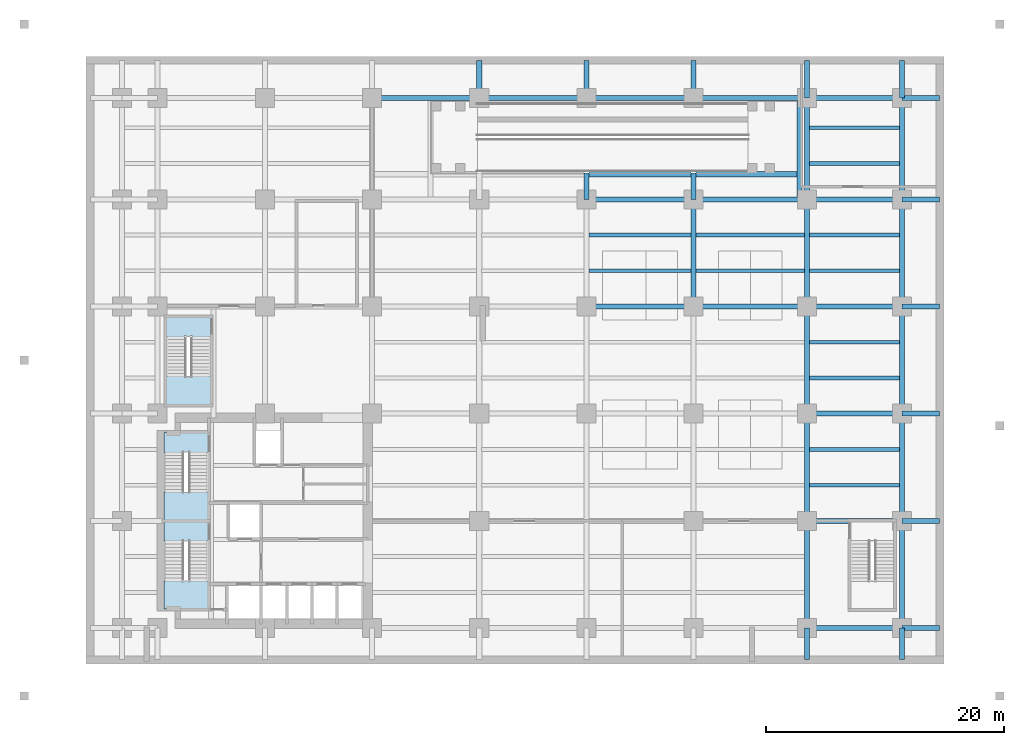
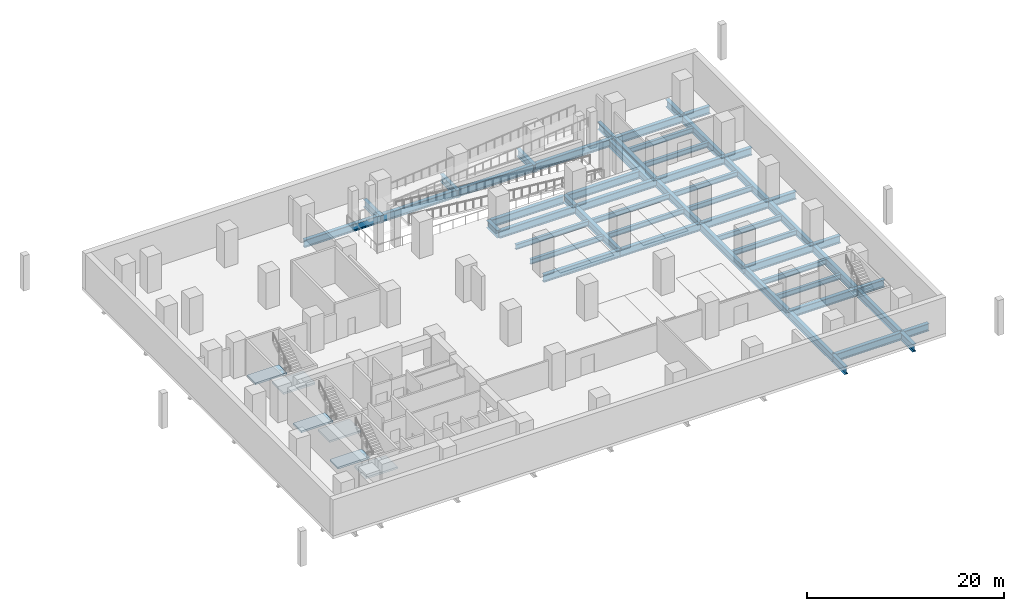
# One storey, part 3 of 10: 55 beams, 6 slabs, 3 elements without a shape of their own.
"""IFC4 building model written with IfcOpenShell, lengths in metres."""

from ifc_helpers import new_model, si_unit, direction, frame, origin, origin_2d, place, context, subcontext, project, spatial, polyline, i_section, outline, extrude, material, layer, layer_set, material_profile, profile_set, type_object, element, aggregate, save


model = new_model("IFC4")

# Units and contexts
model_context = context("Model", 3, precision=1e-05, world=origin(), true_north=direction((0.0, 1.0)))
body_context = subcontext(model_context, "Body", "Model", "MODEL_VIEW")
ifc_project = project(units=[si_unit("LENGTHUNIT", "METRE"), si_unit("AREAUNIT", "SQUARE_METRE"), si_unit("VOLUMEUNIT", "CUBIC_METRE"), si_unit("PLANEANGLEUNIT", "RADIAN"), si_unit("MASSUNIT", "GRAM", prefix="KILO")], contexts=[model_context])

# Site, building, storey
site_placement = place(None, origin())
site = spatial("IfcSite", under=ifc_project, at=site_placement, CompositionType="ELEMENT")
building_placement = place(site_placement, origin())
building = spatial("IfcBuilding", under=site, at=building_placement, Name="Mawjdan Bourse Tower", CompositionType="ELEMENT")
storey_placement = place(building_placement, frame((0.0, 0.0, -4.5)))
storey = spatial("IfcBuildingStorey", under=building, at=storey_placement, Name="B01", CompositionType="ELEMENT", Elevation=-4.5)

# Beams
ifc_material_1 = material(Name="Structural Steel S460", Category="steel")
ifc_material_profile_1 = material_profile(ifc_material_1, i_section(OverallWidth=0.423095703125, OverallDepth=0.93994140625, WebThickness=0.02392578125, FlangeThickness=0.042724609375, FilletRadius=0.0341796875, at=origin_2d()), Name="W36X302")
ifc_profile_set_1 = profile_set([ifc_material_profile_1], Name="Structural Steel S460")
beam_type_1 = type_object("IfcBeamType", Name="GRD-W36X302", PredefinedType="BEAM", material=ifc_profile_set_1)
beam_1_placement = place(storey_placement, frame((42.20947265625, 41.10009765625, -0.820068359375), z_axis=(1.0, 0.0, 0.0), x_axis=(0.0, 1.0, 0.0)))
element("IfcBeam", 1, at=beam_1_placement, inside=storey, type_object=beam_type_1, Name="B01 Ramp Opening South Trimmer S3", PredefinedType="BEAM", context=body_context, shape_type="SweptSolid", body=[
    extrude(i_section(OverallWidth=0.423095703125, OverallDepth=0.93994140625, WebThickness=0.02392578125, FlangeThickness=0.042724609375, FilletRadius=0.0341796875, at=origin_2d()), origin(), (0.0, 0.0, 1.0), 8.5810546875),
])
beam_2_placement = place(storey_placement, frame((51.20947265625, 41.10009765625, -0.820068359375), z_axis=(1.0, 0.0, 0.0), x_axis=(0.0, 1.0, 0.0)))
element("IfcBeam", 2, at=beam_2_placement, inside=storey, type_object=beam_type_1, Name="B01 Ramp Opening South Trimmer S4", PredefinedType="BEAM", context=body_context, shape_type="SweptSolid", body=[
    extrude(i_section(OverallWidth=0.423095703125, OverallDepth=0.93994140625, WebThickness=0.02392578125, FlangeThickness=0.042724609375, FilletRadius=0.0341796875, at=origin_2d()), origin(), (0.0, 0.0, 1.0), 8.4609375),
])
beam_3_placement = place(storey_placement, frame((59.8798828125, 39.20947265625, -0.820068359375), z_axis=(0.0, 1.0, 0.0), x_axis=(-1.0, 0.0, 0.0)))
element("IfcBeam", 3, at=beam_3_placement, inside=storey, type_object=beam_type_1, Name="B01 Ramp Opening East Trimmer 004", PredefinedType="BEAM", context=body_context, shape_type="SweptSolid", body=[
    extrude(i_section(OverallWidth=0.423095703125, OverallDepth=0.93994140625, WebThickness=0.02392578125, FlangeThickness=0.042724609375, FilletRadius=0.0341796875, at=origin_2d()), origin(), (0.0, 0.0, 1.0), 8.0810546875),
])
beam_4_placement = place(storey_placement, frame((33.0, 47.199951171875, -0.820068359375), z_axis=(0.0, 1.0, 0.0), x_axis=(-1.0, 0.0, 0.0)))
element("IfcBeam", 4, at=beam_4_placement, inside=storey, type_object=beam_type_1, Name="B01 Podium Primary Girder 034", PredefinedType="BEAM", context=body_context, shape_type="SweptSolid", body=[
    extrude(i_section(OverallWidth=0.423095703125, OverallDepth=0.93994140625, WebThickness=0.02392578125, FlangeThickness=0.042724609375, FilletRadius=0.0341796875, at=origin_2d()), origin(), (0.0, 0.0, 1.0), 3.449951171875),
])
beam_5_placement = place(storey_placement, frame((42.0, 39.0, -0.820068359375), z_axis=(0.0, 1.0, 0.0), x_axis=(-1.0, 0.0, 0.0)))
element("IfcBeam", 5, at=beam_5_placement, inside=storey, type_object=beam_type_1, Name="B01 Podium Primary Girder 039", PredefinedType="BEAM", context=body_context, shape_type="SweptSolid", body=[
    extrude(i_section(OverallWidth=0.423095703125, OverallDepth=0.93994140625, WebThickness=0.02392578125, FlangeThickness=0.042724609375, FilletRadius=0.0341796875, at=origin_2d()), origin(), (0.0, 0.0, 1.0), 2.199951171875),
])
beam_6_placement = place(storey_placement, frame((42.0, 47.199951171875, -0.820068359375), z_axis=(0.0, 1.0, 0.0), x_axis=(-1.0, 0.0, 0.0)))
element("IfcBeam", 6, at=beam_6_placement, inside=storey, type_object=beam_type_1, Name="B01 Podium Primary Girder 040", PredefinedType="BEAM", context=body_context, shape_type="SweptSolid", body=[
    extrude(i_section(OverallWidth=0.423095703125, OverallDepth=0.93994140625, WebThickness=0.02392578125, FlangeThickness=0.042724609375, FilletRadius=0.0341796875, at=origin_2d()), origin(), (0.0, 0.0, 1.0), 3.449951171875),
])
beam_7_placement = place(storey_placement, frame((51.0, 30.0, -0.820068359375), z_axis=(0.0, 1.0, 0.0), x_axis=(-1.0, 0.0, 0.0)))
element("IfcBeam", 7, at=beam_7_placement, inside=storey, type_object=beam_type_1, Name="B01 Podium Primary Girder 045", PredefinedType="BEAM", context=body_context, shape_type="SweptSolid", body=[
    extrude(i_section(OverallWidth=0.423095703125, OverallDepth=0.93994140625, WebThickness=0.02392578125, FlangeThickness=0.042724609375, FilletRadius=0.0341796875, at=origin_2d()), origin(), (0.0, 0.0, 1.0), 9.0),
])
beam_8_placement = place(storey_placement, frame((51.0, 39.0, -0.820068359375), z_axis=(0.0, 1.0, 0.0), x_axis=(-1.0, 0.0, 0.0)))
element("IfcBeam", 8, at=beam_8_placement, inside=storey, type_object=beam_type_1, Name="B01 Podium Primary Girder 046", PredefinedType="BEAM", context=body_context, shape_type="SweptSolid", body=[
    extrude(i_section(OverallWidth=0.423095703125, OverallDepth=0.93994140625, WebThickness=0.02392578125, FlangeThickness=0.042724609375, FilletRadius=0.0341796875, at=origin_2d()), origin(), (0.0, 0.0, 1.0), 2.199951171875),
])
beam_9_placement = place(storey_placement, frame((51.0, 47.199951171875, -0.820068359375), z_axis=(0.0, 1.0, 0.0), x_axis=(-1.0, 0.0, 0.0)))
element("IfcBeam", 9, at=beam_9_placement, inside=storey, type_object=beam_type_1, Name="B01 Podium Primary Girder 047", PredefinedType="BEAM", context=body_context, shape_type="SweptSolid", body=[
    extrude(i_section(OverallWidth=0.423095703125, OverallDepth=0.93994140625, WebThickness=0.02392578125, FlangeThickness=0.042724609375, FilletRadius=0.0341796875, at=origin_2d()), origin(), (0.0, 0.0, 1.0), 3.449951171875),
])
beam_10_placement = place(storey_placement, frame((60.5, 0.35009765625, -0.820068359375), z_axis=(0.0, 1.0, 0.0), x_axis=(-1.0, 0.0, 0.0)))
element("IfcBeam", 10, at=beam_10_placement, inside=storey, type_object=beam_type_1, Name="B01 Podium Primary Girder 048", PredefinedType="BEAM", context=body_context, shape_type="SweptSolid", body=[
    extrude(i_section(OverallWidth=0.423095703125, OverallDepth=0.93994140625, WebThickness=0.02392578125, FlangeThickness=0.042724609375, FilletRadius=0.0341796875, at=origin_2d()), origin(), (0.0, 0.0, 1.0), 2.64990234375),
])
for number, where, z_axis, x_axis, name in (
    (11, (60.5, 3.0, -0.820068359375), (0.0, 1.0, 0.0), (-1.0, 0.0, 0.0), "B01 Podium Primary Girder 049"),
    (12, (60.5, 12.0, -0.820068359375), (0.0, 1.0, 0.0), (-1.0, 0.0, 0.0), "B01 Podium Primary Girder 050"),
    (13, (60.5, 21.0, -0.820068359375), (0.0, 1.0, 0.0), (-1.0, 0.0, 0.0), "B01 Podium Primary Girder 051"),
    (14, (60.5, 30.0, -0.820068359375), (0.0, 1.0, 0.0), (-1.0, 0.0, 0.0), "B01 Podium Primary Girder 052"),
):
    element("IfcBeam", number, at=place(storey_placement, frame(where, z_axis=z_axis, x_axis=x_axis)), inside=storey, type_object=beam_type_1, Name=name, PredefinedType="BEAM", context=body_context, shape_type="SweptSolid", body=[
        extrude(i_section(OverallWidth=0.423095703125, OverallDepth=0.93994140625, WebThickness=0.02392578125, FlangeThickness=0.042724609375, FilletRadius=0.0341796875, at=origin_2d()), origin(), (0.0, 0.0, 1.0), 9.0),
    ])
beam_11_placement = place(storey_placement, frame((60.5, 39.0, -0.820068359375), z_axis=(0.0, 1.0, 0.0), x_axis=(-1.0, 0.0, 0.0)))
element("IfcBeam", 15, at=beam_11_placement, inside=storey, type_object=beam_type_1, Name="B01 Podium Primary Girder 053", PredefinedType="BEAM", context=body_context, shape_type="SweptSolid", body=[
    extrude(i_section(OverallWidth=0.423095703125, OverallDepth=0.93994140625, WebThickness=0.02392578125, FlangeThickness=0.042724609375, FilletRadius=0.0341796875, at=origin_2d()), origin(), (0.0, 0.0, 1.0), 8.5),
])
beam_12_placement = place(storey_placement, frame((60.5, 47.5, -0.820068359375), z_axis=(0.0, 1.0, 0.0), x_axis=(-1.0, 0.0, 0.0)))
element("IfcBeam", 16, at=beam_12_placement, inside=storey, type_object=beam_type_1, Name="B01 Podium Primary Girder 054", PredefinedType="BEAM", context=body_context, shape_type="SweptSolid", body=[
    extrude(i_section(OverallWidth=0.423095703125, OverallDepth=0.93994140625, WebThickness=0.02392578125, FlangeThickness=0.042724609375, FilletRadius=0.0341796875, at=origin_2d()), origin(), (0.0, 0.0, 1.0), 3.14990234375),
])
beam_13_placement = place(storey_placement, frame((68.5, 0.35009765625, -0.820068359375), z_axis=(0.0, 1.0, 0.0), x_axis=(-1.0, 0.0, 0.0)))
element("IfcBeam", 17, at=beam_13_placement, inside=storey, type_object=beam_type_1, Name="B01 Podium Primary Girder 055", PredefinedType="BEAM", context=body_context, shape_type="SweptSolid", body=[
    extrude(i_section(OverallWidth=0.423095703125, OverallDepth=0.93994140625, WebThickness=0.02392578125, FlangeThickness=0.042724609375, FilletRadius=0.0341796875, at=origin_2d()), origin(), (0.0, 0.0, 1.0), 2.64990234375),
])
for number, where, z_axis, x_axis, name in (
    (18, (68.5, 3.0, -0.820068359375), (0.0, 1.0, 0.0), (-1.0, 0.0, 0.0), "B01 Podium Primary Girder 056"),
    (19, (68.5, 12.0, -0.820068359375), (0.0, 1.0, 0.0), (-1.0, 0.0, 0.0), "B01 Podium Primary Girder 057"),
    (20, (68.5, 21.0, -0.820068359375), (0.0, 1.0, 0.0), (-1.0, 0.0, 0.0), "B01 Podium Primary Girder 058"),
    (21, (68.5, 30.0, -0.820068359375), (0.0, 1.0, 0.0), (-1.0, 0.0, 0.0), "B01 Podium Primary Girder 059"),
):
    element("IfcBeam", number, at=place(storey_placement, frame(where, z_axis=z_axis, x_axis=x_axis)), inside=storey, type_object=beam_type_1, Name=name, PredefinedType="BEAM", context=body_context, shape_type="SweptSolid", body=[
        extrude(i_section(OverallWidth=0.423095703125, OverallDepth=0.93994140625, WebThickness=0.02392578125, FlangeThickness=0.042724609375, FilletRadius=0.0341796875, at=origin_2d()), origin(), (0.0, 0.0, 1.0), 9.0),
    ])
beam_14_placement = place(storey_placement, frame((68.5, 39.0, -0.820068359375), z_axis=(0.0, 1.0, 0.0), x_axis=(-1.0, 0.0, 0.0)))
element("IfcBeam", 22, at=beam_14_placement, inside=storey, type_object=beam_type_1, Name="B01 Podium Primary Girder 060", PredefinedType="BEAM", context=body_context, shape_type="SweptSolid", body=[
    extrude(i_section(OverallWidth=0.423095703125, OverallDepth=0.93994140625, WebThickness=0.02392578125, FlangeThickness=0.042724609375, FilletRadius=0.0341796875, at=origin_2d()), origin(), (0.0, 0.0, 1.0), 8.5),
])
beam_15_placement = place(storey_placement, frame((68.5, 47.5, -0.820068359375), z_axis=(0.0, 1.0, 0.0), x_axis=(-1.0, 0.0, 0.0)))
element("IfcBeam", 23, at=beam_15_placement, inside=storey, type_object=beam_type_1, Name="B01 Podium Primary Girder 061", PredefinedType="BEAM", context=body_context, shape_type="SweptSolid", body=[
    extrude(i_section(OverallWidth=0.423095703125, OverallDepth=0.93994140625, WebThickness=0.02392578125, FlangeThickness=0.042724609375, FilletRadius=0.0341796875, at=origin_2d()), origin(), (0.0, 0.0, 1.0), 3.14990234375),
])
beam_16_placement = place(storey_placement, frame((60.5, 3.0, -0.820068359375), z_axis=(1.0, 0.0, 0.0), x_axis=(0.0, 1.0, 0.0)))
element("IfcBeam", 24, at=beam_16_placement, inside=storey, type_object=beam_type_1, Name="B01 Podium Tie Girder 068", PredefinedType="BEAM", context=body_context, shape_type="SweptSolid", body=[
    extrude(i_section(OverallWidth=0.423095703125, OverallDepth=0.93994140625, WebThickness=0.02392578125, FlangeThickness=0.042724609375, FilletRadius=0.0341796875, at=origin_2d()), origin(), (0.0, 0.0, 1.0), 8.0),
])
beam_17_placement = place(storey_placement, frame((68.5, 3.0, -0.820068359375), z_axis=(1.0, 0.0, 0.0), x_axis=(0.0, 1.0, 0.0)))
element("IfcBeam", 25, at=beam_17_placement, inside=storey, type_object=beam_type_1, Name="B01 Podium Tie Girder 069", PredefinedType="BEAM", context=body_context, shape_type="SweptSolid", body=[
    extrude(i_section(OverallWidth=0.423095703125, OverallDepth=0.93994140625, WebThickness=0.02392578125, FlangeThickness=0.042724609375, FilletRadius=0.0341796875, at=origin_2d()), origin(), (0.0, 0.0, 1.0), 3.14990234375),
])
beam_18_placement = place(storey_placement, frame((60.5, 12.0, -0.820068359375), z_axis=(1.0, 0.0, 0.0), x_axis=(0.0, 1.0, 0.0)))
element("IfcBeam", 26, at=beam_18_placement, inside=storey, type_object=beam_type_1, Name="B01 Podium Tie Girder 075", PredefinedType="BEAM", context=body_context, shape_type="SweptSolid", body=[
    extrude(i_section(OverallWidth=0.423095703125, OverallDepth=0.93994140625, WebThickness=0.02392578125, FlangeThickness=0.042724609375, FilletRadius=0.0341796875, at=origin_2d()), origin(), (0.0, 0.0, 1.0), 8.0),
])
beam_19_placement = place(storey_placement, frame((68.5, 12.0, -0.820068359375), z_axis=(1.0, 0.0, 0.0), x_axis=(0.0, 1.0, 0.0)))
element("IfcBeam", 27, at=beam_19_placement, inside=storey, type_object=beam_type_1, Name="B01 Podium Tie Girder 076", PredefinedType="BEAM", context=body_context, shape_type="SweptSolid", body=[
    extrude(i_section(OverallWidth=0.423095703125, OverallDepth=0.93994140625, WebThickness=0.02392578125, FlangeThickness=0.042724609375, FilletRadius=0.0341796875, at=origin_2d()), origin(), (0.0, 0.0, 1.0), 3.14990234375),
])
beam_20_placement = place(storey_placement, frame((60.5, 21.0, -0.820068359375), z_axis=(1.0, 0.0, 0.0), x_axis=(0.0, 1.0, 0.0)))
element("IfcBeam", 28, at=beam_20_placement, inside=storey, type_object=beam_type_1, Name="B01 Podium Tie Girder 083", PredefinedType="BEAM", context=body_context, shape_type="SweptSolid", body=[
    extrude(i_section(OverallWidth=0.423095703125, OverallDepth=0.93994140625, WebThickness=0.02392578125, FlangeThickness=0.042724609375, FilletRadius=0.0341796875, at=origin_2d()), origin(), (0.0, 0.0, 1.0), 8.0),
])
beam_21_placement = place(storey_placement, frame((68.5, 21.0, -0.820068359375), z_axis=(1.0, 0.0, 0.0), x_axis=(0.0, 1.0, 0.0)))
element("IfcBeam", 29, at=beam_21_placement, inside=storey, type_object=beam_type_1, Name="B01 Podium Tie Girder 084", PredefinedType="BEAM", context=body_context, shape_type="SweptSolid", body=[
    extrude(i_section(OverallWidth=0.423095703125, OverallDepth=0.93994140625, WebThickness=0.02392578125, FlangeThickness=0.042724609375, FilletRadius=0.0341796875, at=origin_2d()), origin(), (0.0, 0.0, 1.0), 3.14990234375),
])
beam_22_placement = place(storey_placement, frame((42.0, 30.0, -0.820068359375), z_axis=(1.0, 0.0, 0.0), x_axis=(0.0, 1.0, 0.0)))
element("IfcBeam", 30, at=beam_22_placement, inside=storey, type_object=beam_type_1, Name="B01 Podium Tie Girder 091", PredefinedType="BEAM", context=body_context, shape_type="SweptSolid", body=[
    extrude(i_section(OverallWidth=0.423095703125, OverallDepth=0.93994140625, WebThickness=0.02392578125, FlangeThickness=0.042724609375, FilletRadius=0.0341796875, at=origin_2d()), origin(), (0.0, 0.0, 1.0), 9.0),
])
beam_23_placement = place(storey_placement, frame((51.0, 30.0, -0.820068359375), z_axis=(1.0, 0.0, 0.0), x_axis=(0.0, 1.0, 0.0)))
element("IfcBeam", 31, at=beam_23_placement, inside=storey, type_object=beam_type_1, Name="B01 Podium Tie Girder 092", PredefinedType="BEAM", context=body_context, shape_type="SweptSolid", body=[
    extrude(i_section(OverallWidth=0.423095703125, OverallDepth=0.93994140625, WebThickness=0.02392578125, FlangeThickness=0.042724609375, FilletRadius=0.0341796875, at=origin_2d()), origin(), (0.0, 0.0, 1.0), 9.5),
])
beam_24_placement = place(storey_placement, frame((60.5, 30.0, -0.820068359375), z_axis=(1.0, 0.0, 0.0), x_axis=(0.0, 1.0, 0.0)))
element("IfcBeam", 32, at=beam_24_placement, inside=storey, type_object=beam_type_1, Name="B01 Podium Tie Girder 093", PredefinedType="BEAM", context=body_context, shape_type="SweptSolid", body=[
    extrude(i_section(OverallWidth=0.423095703125, OverallDepth=0.93994140625, WebThickness=0.02392578125, FlangeThickness=0.042724609375, FilletRadius=0.0341796875, at=origin_2d()), origin(), (0.0, 0.0, 1.0), 8.0),
])
beam_25_placement = place(storey_placement, frame((68.5, 30.0, -0.820068359375), z_axis=(1.0, 0.0, 0.0), x_axis=(0.0, 1.0, 0.0)))
element("IfcBeam", 33, at=beam_25_placement, inside=storey, type_object=beam_type_1, Name="B01 Podium Tie Girder 094", PredefinedType="BEAM", context=body_context, shape_type="SweptSolid", body=[
    extrude(i_section(OverallWidth=0.423095703125, OverallDepth=0.93994140625, WebThickness=0.02392578125, FlangeThickness=0.042724609375, FilletRadius=0.0341796875, at=origin_2d()), origin(), (0.0, 0.0, 1.0), 3.14990234375),
])
beam_26_placement = place(storey_placement, frame((42.0, 39.0, -0.820068359375), z_axis=(1.0, 0.0, 0.0), x_axis=(0.0, 1.0, 0.0)))
element("IfcBeam", 34, at=beam_26_placement, inside=storey, type_object=beam_type_1, Name="B01 Podium Tie Girder 101", PredefinedType="BEAM", context=body_context, shape_type="SweptSolid", body=[
    extrude(i_section(OverallWidth=0.423095703125, OverallDepth=0.93994140625, WebThickness=0.02392578125, FlangeThickness=0.042724609375, FilletRadius=0.0341796875, at=origin_2d()), origin(), (0.0, 0.0, 1.0), 9.0),
])
beam_27_placement = place(storey_placement, frame((51.0, 39.0, -0.820068359375), z_axis=(1.0, 0.0, 0.0), x_axis=(0.0, 1.0, 0.0)))
element("IfcBeam", 35, at=beam_27_placement, inside=storey, type_object=beam_type_1, Name="B01 Podium Tie Girder 102", PredefinedType="BEAM", context=body_context, shape_type="SweptSolid", body=[
    extrude(i_section(OverallWidth=0.423095703125, OverallDepth=0.93994140625, WebThickness=0.02392578125, FlangeThickness=0.042724609375, FilletRadius=0.0341796875, at=origin_2d()), origin(), (0.0, 0.0, 1.0), 9.5),
])
beam_28_placement = place(storey_placement, frame((60.5, 39.0, -0.820068359375), z_axis=(1.0, 0.0, 0.0), x_axis=(0.0, 1.0, 0.0)))
element("IfcBeam", 36, at=beam_28_placement, inside=storey, type_object=beam_type_1, Name="B01 Podium Tie Girder 103", PredefinedType="BEAM", context=body_context, shape_type="SweptSolid", body=[
    extrude(i_section(OverallWidth=0.423095703125, OverallDepth=0.93994140625, WebThickness=0.02392578125, FlangeThickness=0.042724609375, FilletRadius=0.0341796875, at=origin_2d()), origin(), (0.0, 0.0, 1.0), 8.0),
])
beam_29_placement = place(storey_placement, frame((68.5, 39.0, -0.820068359375), z_axis=(1.0, 0.0, 0.0), x_axis=(0.0, 1.0, 0.0)))
element("IfcBeam", 37, at=beam_29_placement, inside=storey, type_object=beam_type_1, Name="B01 Podium Tie Girder 104", PredefinedType="BEAM", context=body_context, shape_type="SweptSolid", body=[
    extrude(i_section(OverallWidth=0.423095703125, OverallDepth=0.93994140625, WebThickness=0.02392578125, FlangeThickness=0.042724609375, FilletRadius=0.0341796875, at=origin_2d()), origin(), (0.0, 0.0, 1.0), 3.14990234375),
])
for number, where, z_axis, x_axis, name in (
    (38, (24.0, 47.5, -0.820068359375), (1.0, 0.0, 0.0), (0.0, 1.0, 0.0), "B01 Podium Tie Girder 109"),
    (39, (33.0, 47.5, -0.820068359375), (1.0, 0.0, 0.0), (0.0, 1.0, 0.0), "B01 Podium Tie Girder 110"),
    (40, (42.0, 47.5, -0.820068359375), (1.0, 0.0, 0.0), (0.0, 1.0, 0.0), "B01 Podium Tie Girder 111"),
):
    element("IfcBeam", number, at=place(storey_placement, frame(where, z_axis=z_axis, x_axis=x_axis)), inside=storey, type_object=beam_type_1, Name=name, PredefinedType="BEAM", context=body_context, shape_type="SweptSolid", body=[
        extrude(i_section(OverallWidth=0.423095703125, OverallDepth=0.93994140625, WebThickness=0.02392578125, FlangeThickness=0.042724609375, FilletRadius=0.0341796875, at=origin_2d()), origin(), (0.0, 0.0, 1.0), 9.0),
    ])
beam_30_placement = place(storey_placement, frame((51.0, 47.5, -0.820068359375), z_axis=(1.0, 0.0, 0.0), x_axis=(0.0, 1.0, 0.0)))
element("IfcBeam", 41, at=beam_30_placement, inside=storey, type_object=beam_type_1, Name="B01 Podium Tie Girder 112", PredefinedType="BEAM", context=body_context, shape_type="SweptSolid", body=[
    extrude(i_section(OverallWidth=0.423095703125, OverallDepth=0.93994140625, WebThickness=0.02392578125, FlangeThickness=0.042724609375, FilletRadius=0.0341796875, at=origin_2d()), origin(), (0.0, 0.0, 1.0), 9.5),
])
beam_31_placement = place(storey_placement, frame((60.5, 47.5, -0.820068359375), z_axis=(1.0, 0.0, 0.0), x_axis=(0.0, 1.0, 0.0)))
element("IfcBeam", 42, at=beam_31_placement, inside=storey, type_object=beam_type_1, Name="B01 Podium Tie Girder 113", PredefinedType="BEAM", context=body_context, shape_type="SweptSolid", body=[
    extrude(i_section(OverallWidth=0.423095703125, OverallDepth=0.93994140625, WebThickness=0.02392578125, FlangeThickness=0.042724609375, FilletRadius=0.0341796875, at=origin_2d()), origin(), (0.0, 0.0, 1.0), 8.0),
])
beam_32_placement = place(storey_placement, frame((68.5, 47.5, -0.820068359375), z_axis=(1.0, 0.0, 0.0), x_axis=(0.0, 1.0, 0.0)))
element("IfcBeam", 43, at=beam_32_placement, inside=storey, type_object=beam_type_1, Name="B01 Podium Tie Girder 114", PredefinedType="BEAM", context=body_context, shape_type="SweptSolid", body=[
    extrude(i_section(OverallWidth=0.423095703125, OverallDepth=0.93994140625, WebThickness=0.02392578125, FlangeThickness=0.042724609375, FilletRadius=0.0341796875, at=origin_2d()), origin(), (0.0, 0.0, 1.0), 3.14990234375),
])
ifc_material_2 = material(Name="Structural Steel S355", Category="steel")
ifc_material_profile_2 = material_profile(ifc_material_2, i_section(OverallWidth=0.324951171875, OverallDepth=0.616943359375, WebThickness=0.013916015625, FlangeThickness=0.021484375, FilletRadius=0.017333984375, at=origin_2d()), Name="W24X117")
ifc_profile_set_2 = profile_set([ifc_material_profile_2], Name="Structural Steel S355")
beam_type_2 = type_object("IfcBeamType", Name="JST-W24X117", PredefinedType="JOIST", material=ifc_profile_set_2)
for number, where, z_axis, x_axis, name in (
    (44, (60.70947265625, 15.0, -0.658447265625), (1.0, 0.0, 0.0), (0.0, 1.0, 0.0), "B01 Composite Floor Joist 130"),
    (45, (60.70947265625, 18.0, -0.658447265625), (1.0, 0.0, 0.0), (0.0, 1.0, 0.0), "B01 Composite Floor Joist 136"),
    (46, (60.70947265625, 24.0, -0.658447265625), (1.0, 0.0, 0.0), (0.0, 1.0, 0.0), "B01 Composite Floor Joist 142"),
    (47, (60.70947265625, 27.0, -0.658447265625), (1.0, 0.0, 0.0), (0.0, 1.0, 0.0), "B01 Composite Floor Joist 148"),
):
    element("IfcBeam", number, at=place(storey_placement, frame(where, z_axis=z_axis, x_axis=x_axis)), inside=storey, type_object=beam_type_2, Name=name, PredefinedType="JOIST", context=body_context, shape_type="SweptSolid", body=[
        extrude(i_section(OverallWidth=0.324951171875, OverallDepth=0.616943359375, WebThickness=0.013916015625, FlangeThickness=0.021484375, FilletRadius=0.017333984375, at=origin_2d()), origin(), (0.0, 0.0, 1.0), 7.5810546875),
    ])
beam_33_placement = place(storey_placement, frame((42.20947265625, 33.0, -0.658447265625), z_axis=(1.0, 0.0, 0.0), x_axis=(0.0, 1.0, 0.0)))
element("IfcBeam", 48, at=beam_33_placement, inside=storey, type_object=beam_type_2, Name="B01 Composite Floor Joist 154", PredefinedType="JOIST", context=body_context, shape_type="SweptSolid", body=[
    extrude(i_section(OverallWidth=0.324951171875, OverallDepth=0.616943359375, WebThickness=0.013916015625, FlangeThickness=0.021484375, FilletRadius=0.017333984375, at=origin_2d()), origin(), (0.0, 0.0, 1.0), 8.5810546875),
])
beam_34_placement = place(storey_placement, frame((51.20947265625, 33.0, -0.658447265625), z_axis=(1.0, 0.0, 0.0), x_axis=(0.0, 1.0, 0.0)))
element("IfcBeam", 49, at=beam_34_placement, inside=storey, type_object=beam_type_2, Name="B01 Composite Floor Joist 155", PredefinedType="JOIST", context=body_context, shape_type="SweptSolid", body=[
    extrude(i_section(OverallWidth=0.324951171875, OverallDepth=0.616943359375, WebThickness=0.013916015625, FlangeThickness=0.021484375, FilletRadius=0.017333984375, at=origin_2d()), origin(), (0.0, 0.0, 1.0), 9.0810546875),
])
beam_35_placement = place(storey_placement, frame((60.70947265625, 33.0, -0.658447265625), z_axis=(1.0, 0.0, 0.0), x_axis=(0.0, 1.0, 0.0)))
element("IfcBeam", 50, at=beam_35_placement, inside=storey, type_object=beam_type_2, Name="B01 Composite Floor Joist 156", PredefinedType="JOIST", context=body_context, shape_type="SweptSolid", body=[
    extrude(i_section(OverallWidth=0.324951171875, OverallDepth=0.616943359375, WebThickness=0.013916015625, FlangeThickness=0.021484375, FilletRadius=0.017333984375, at=origin_2d()), origin(), (0.0, 0.0, 1.0), 7.5810546875),
])
beam_36_placement = place(storey_placement, frame((42.20947265625, 36.0, -0.658447265625), z_axis=(1.0, 0.0, 0.0), x_axis=(0.0, 1.0, 0.0)))
element("IfcBeam", 51, at=beam_36_placement, inside=storey, type_object=beam_type_2, Name="B01 Composite Floor Joist 162", PredefinedType="JOIST", context=body_context, shape_type="SweptSolid", body=[
    extrude(i_section(OverallWidth=0.324951171875, OverallDepth=0.616943359375, WebThickness=0.013916015625, FlangeThickness=0.021484375, FilletRadius=0.017333984375, at=origin_2d()), origin(), (0.0, 0.0, 1.0), 8.5810546875),
])
beam_37_placement = place(storey_placement, frame((51.20947265625, 36.0, -0.658447265625), z_axis=(1.0, 0.0, 0.0), x_axis=(0.0, 1.0, 0.0)))
element("IfcBeam", 52, at=beam_37_placement, inside=storey, type_object=beam_type_2, Name="B01 Composite Floor Joist 163", PredefinedType="JOIST", context=body_context, shape_type="SweptSolid", body=[
    extrude(i_section(OverallWidth=0.324951171875, OverallDepth=0.616943359375, WebThickness=0.013916015625, FlangeThickness=0.021484375, FilletRadius=0.017333984375, at=origin_2d()), origin(), (0.0, 0.0, 1.0), 9.0810546875),
])
for number, where, z_axis, x_axis, name in (
    (53, (60.70947265625, 36.0, -0.658447265625), (1.0, 0.0, 0.0), (0.0, 1.0, 0.0), "B01 Composite Floor Joist 164"),
    (54, (60.70947265625, 42.0, -0.658447265625), (1.0, 0.0, 0.0), (0.0, 1.0, 0.0), "B01 Composite Floor Joist 168"),
    (55, (60.70947265625, 45.0, -0.658447265625), (1.0, 0.0, 0.0), (0.0, 1.0, 0.0), "B01 Composite Floor Joist 172"),
):
    element("IfcBeam", number, at=place(storey_placement, frame(where, z_axis=z_axis, x_axis=x_axis)), inside=storey, type_object=beam_type_2, Name=name, PredefinedType="JOIST", context=body_context, shape_type="SweptSolid", body=[
        extrude(i_section(OverallWidth=0.324951171875, OverallDepth=0.616943359375, WebThickness=0.013916015625, FlangeThickness=0.021484375, FilletRadius=0.017333984375, at=origin_2d()), origin(), (0.0, 0.0, 1.0), 7.5810546875),
    ])

# Stair, slabs
ifc_material_3 = material(Name="Concrete C50/60", Category="concrete")
stair_type = type_object("IfcStairType", Name="STR-CORE-1500", PredefinedType="HALF_TURN_STAIR", material=ifc_material_3)
stair_1_placement = place(storey_placement, origin())
stair_1 = element("IfcStair", 56, at=stair_1_placement, inside=storey, type_object=stair_type, Name="B01 Exit Stair 1 (Core South-West)", PredefinedType="HALF_TURN_STAIR")
ifc_layer = layer(ifc_material_3, 0.22998046875)
ifc_layer_set = layer_set([ifc_layer], Name="Concrete C50/60")
slab_type = type_object("IfcSlabType", Name="SL-LND-230", PredefinedType="LANDING", material=ifc_layer_set)
slab_1_placement = place(storey_placement, frame((0.0, 0.0, -0.22998046875)))
slab_1 = element("IfcSlab", 57, at=slab_1_placement, type_object=slab_type, Name="ST1-B01 landing 1", PredefinedType="LANDING", context=body_context, shape_type="SweptSolid", body=[
    extrude(outline(polyline([(6.5400390625, 10.31005859375), (10.260009765625, 10.31005859375), (10.260009765625, 11.969970703125), (6.5400390625, 11.969970703125), (6.5400390625, 10.31005859375)])), origin(), (0.0, 0.0, 1.0), 0.22998046875),
])
slab_2_placement = place(storey_placement, frame((0.0, 0.0, 2.02001953125)))
slab_2 = element("IfcSlab", 58, at=slab_2_placement, type_object=slab_type, Name="ST1-B01 landing 2", PredefinedType="LANDING", context=body_context, shape_type="SweptSolid", body=[
    extrude(outline(polyline([(6.5400390625, 4.590087890625), (10.260009765625, 4.590087890625), (10.260009765625, 6.969970703125), (6.5400390625, 6.969970703125), (6.5400390625, 4.590087890625)])), origin(), (0.0, 0.0, 1.0), 0.22998046875),
])
aggregate(stair_1, [slab_1, slab_2])

stair_2_placement = place(storey_placement, origin())
stair_2 = element("IfcStair", 59, at=stair_2_placement, inside=storey, type_object=stair_type, Name="B01 Exit Stair 2 (Core North-West)", PredefinedType="HALF_TURN_STAIR")
slab_3_placement = place(storey_placement, frame((0.0, 0.0, -0.22998046875)))
slab_3 = element("IfcSlab", 60, at=slab_3_placement, type_object=slab_type, Name="ST2-B01 landing 1", PredefinedType="LANDING", context=body_context, shape_type="SweptSolid", body=[
    extrude(outline(polyline([(6.5400390625, 17.75), (10.260009765625, 17.75), (10.260009765625, 19.409912109375), (6.5400390625, 19.409912109375), (6.5400390625, 17.75)])), origin(), (0.0, 0.0, 1.0), 0.22998046875),
])
slab_4_placement = place(storey_placement, frame((0.0, 0.0, 2.02001953125)))
slab_4 = element("IfcSlab", 61, at=slab_4_placement, type_object=slab_type, Name="ST2-B01 landing 2", PredefinedType="LANDING", context=body_context, shape_type="SweptSolid", body=[
    extrude(outline(polyline([(6.5400390625, 12.030029296875), (10.260009765625, 12.030029296875), (10.260009765625, 14.409912109375), (6.5400390625, 14.409912109375), (6.5400390625, 12.030029296875)])), origin(), (0.0, 0.0, 1.0), 0.22998046875),
])
aggregate(stair_2, [slab_3, slab_4])

stair_3_placement = place(storey_placement, origin())
stair_3 = element("IfcStair", 62, at=stair_3_placement, inside=storey, type_object=stair_type, Name="B01 Exit Stair 3 (North Wing)", PredefinedType="HALF_TURN_STAIR")
slab_5_placement = place(storey_placement, frame((0.0, 0.0, -0.22998046875)))
slab_5 = element("IfcSlab", 63, at=slab_5_placement, type_object=slab_type, Name="ST3-B01 landing 1", PredefinedType="LANDING", context=body_context, shape_type="SweptSolid", body=[
    extrude(outline(polyline([(6.739990234375, 27.4599609375), (10.4599609375, 27.4599609375), (10.4599609375, 29.1201171875), (6.739990234375, 29.1201171875), (6.739990234375, 27.4599609375)])), origin(), (0.0, 0.0, 1.0), 0.22998046875),
])
slab_6_placement = place(storey_placement, frame((0.0, 0.0, 2.02001953125)))
slab_6 = element("IfcSlab", 64, at=slab_6_placement, type_object=slab_type, Name="ST3-B01 landing 2", PredefinedType="LANDING", context=body_context, shape_type="SweptSolid", body=[
    extrude(outline(polyline([(6.739990234375, 21.739990234375), (10.4599609375, 21.739990234375), (10.4599609375, 24.1201171875), (6.739990234375, 24.1201171875), (6.739990234375, 21.739990234375)])), origin(), (0.0, 0.0, 1.0), 0.22998046875),
])
aggregate(stair_3, [slab_5, slab_6])

save(model, "model.ifc")
